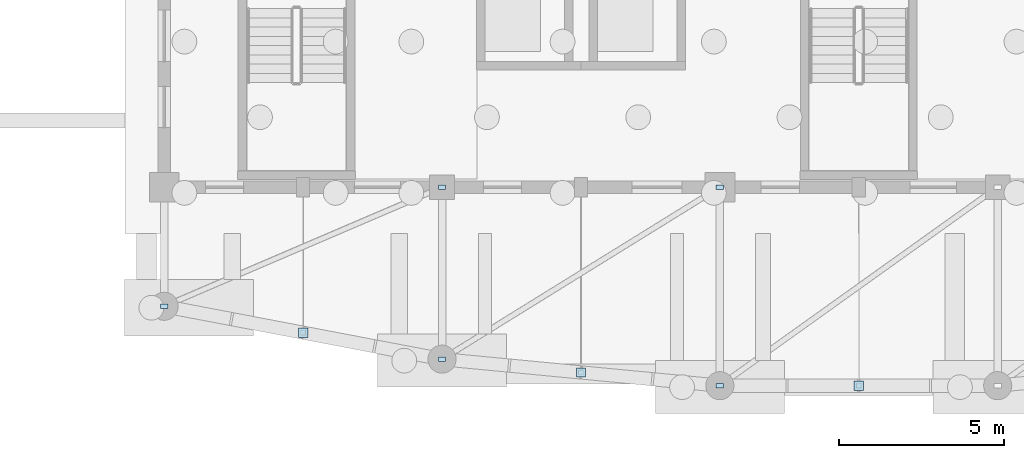
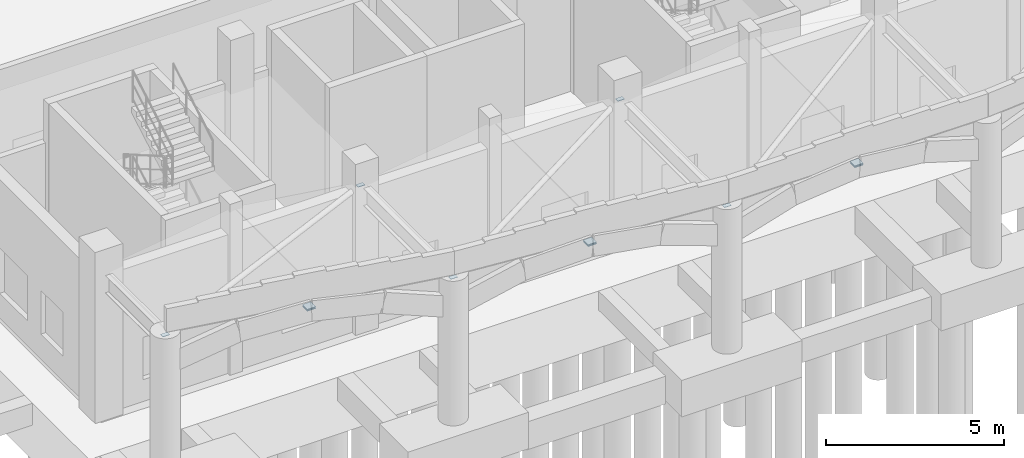
# One storey, part 30 of 60: 11 plates.
"""IFC4 building model written with IfcOpenShell, lengths in metres."""

from ifc_helpers import new_model, si_unit, direction, frame, origin, origin_2d, place, context, subcontext, project, spatial, rectangle, extrude, material, layer, layer_set, type_object, element, save


model = new_model("IFC4")

# Units and contexts
model_context = context("Model", 3, precision=1e-05, world=origin(), true_north=direction((0.0, 1.0)))
body_context = subcontext(model_context, "Body", "Model", "MODEL_VIEW")
ifc_project = project(units=[si_unit("LENGTHUNIT", "METRE"), si_unit("AREAUNIT", "SQUARE_METRE"), si_unit("VOLUMEUNIT", "CUBIC_METRE"), si_unit("PLANEANGLEUNIT", "RADIAN"), si_unit("MASSUNIT", "GRAM", prefix="KILO")], contexts=[model_context])

# Site, building, storey
site_placement = place(None, origin())
site = spatial("IfcSite", under=ifc_project, at=site_placement, CompositionType="ELEMENT")
building_placement = place(site_placement, origin())
building = spatial("IfcBuilding", under=site, at=building_placement, Name="Trellovar Central Fire Station", CompositionType="ELEMENT")
storey_placement = place(building_placement, origin())
storey = spatial("IfcBuildingStorey", under=building, at=storey_placement, Name="L01", CompositionType="ELEMENT", Elevation=0.0)

# Plates
ifc_material_1 = material(Name="Steel ASTM A36", Category="steel")
ifc_layer_1 = layer(ifc_material_1, 0.02001953125)
ifc_layer_set_1 = layer_set([ifc_layer_1], Name="Steel ASTM A36")
plate_type_1 = type_object("IfcPlateType", Name="PLT-EP2", PredefinedType="SHEET", material=ifc_layer_set_1)
for number, where, z_axis, x_axis, name in (
    (1, (109.699951171875, 4.60009765625, 4.7900390625), (0.0, 0.0, 1.0), (1.0, 0.0, 0.0), "HSS end-cap plate 549"),
    (2, (109.699951171875, 4.60009765625, 4.739990234375), (0.0, 0.0, 1.0), (1.0, 0.0, 0.0), "HSS end-cap plate 550"),
    (3, (118.10009765625, 3.39990234375, 4.7900390625), (0.0, 0.0, 1.0), (1.0, 0.0, 0.0), "HSS end-cap plate 553"),
    (4, (118.10009765625, 3.39990234375, 4.739990234375), (0.0, 0.0, 1.0), (1.0, 0.0, 0.0), "HSS end-cap plate 554"),
    (5, (126.5, 3.0, 4.7900390625), (0.0, 0.0, 1.0), (1.0, 0.0, 0.0), "HSS end-cap plate 557"),
    (6, (126.5, 3.0, 4.739990234375), (0.0, 0.0, 1.0), (1.0, 0.0, 0.0), "HSS end-cap plate 558"),
):
    element("IfcPlate", number, at=place(storey_placement, frame(where, z_axis=z_axis, x_axis=x_axis)), inside=storey, type_object=plate_type_1, Name=name, PredefinedType="SHEET", context=body_context, shape_type="SweptSolid", body=[
        extrude(rectangle(XDim=0.280029296875, YDim=0.280029296875, at=origin_2d()), origin(), (0.0, 0.0, 1.0), 0.02001953125),
    ])
ifc_material_2 = material(Name="Steel ASTM A36", Category="steel")
ifc_layer_2 = layer(ifc_material_2, 0.01611328125)
ifc_layer_set_2 = layer_set([ifc_layer_2], Name="Steel ASTM A36")
plate_type_2 = type_object("IfcPlateType", Name="PLT-EP4", PredefinedType="SHEET", material=ifc_layer_set_2)
for number, where, z_axis, x_axis, name in (
    (7, (105.5, 5.39990234375, 4.7919921875), (0.0, 0.0, 1.0), (1.0, 0.0, 0.0), "HSS end-cap plate 551"),
    (8, (113.89990234375, 9.0, 4.7919921875), (0.0, 0.0, 1.0), (1.0, 0.0, 0.0), "HSS end-cap plate 552"),
    (9, (113.89990234375, 3.800048828125, 4.7919921875), (0.0, 0.0, 1.0), (1.0, 0.0, 0.0), "HSS end-cap plate 555"),
    (10, (122.300048828125, 9.0, 4.7919921875), (0.0, 0.0, 1.0), (1.0, 0.0, 0.0), "HSS end-cap plate 556"),
    (11, (122.300048828125, 3.0, 4.7919921875), (0.0, 0.0, 1.0), (1.0, 0.0, 0.0), "HSS end-cap plate 559"),
):
    element("IfcPlate", number, at=place(storey_placement, frame(where, z_axis=z_axis, x_axis=x_axis)), inside=storey, type_object=plate_type_2, Name=name, PredefinedType="SHEET", context=body_context, shape_type="SweptSolid", body=[
        extrude(rectangle(XDim=0.219970703125, YDim=0.139892578125, at=origin_2d()), origin(), (0.0, 0.0, 1.0), 0.01611328125),
    ])

save(model, "model.ifc")
